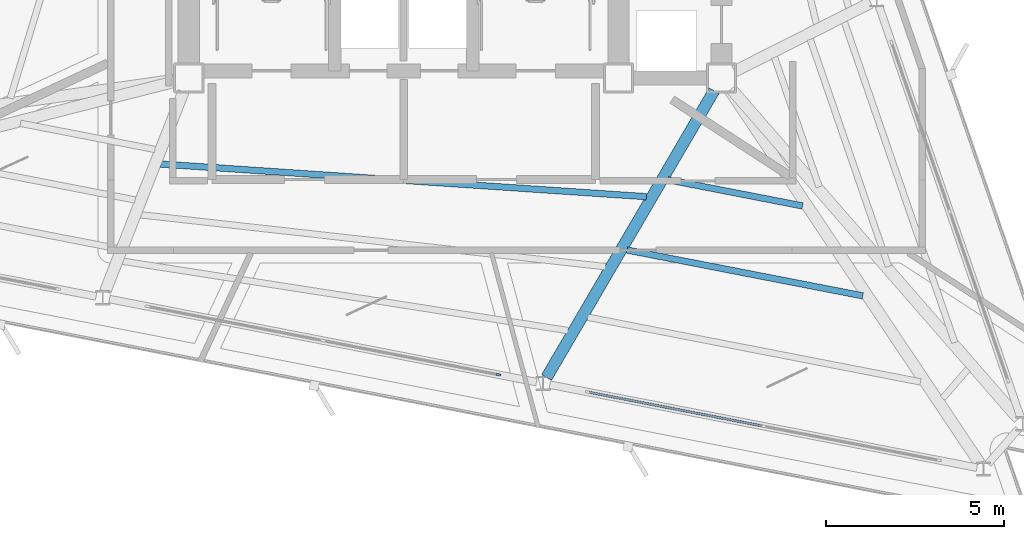
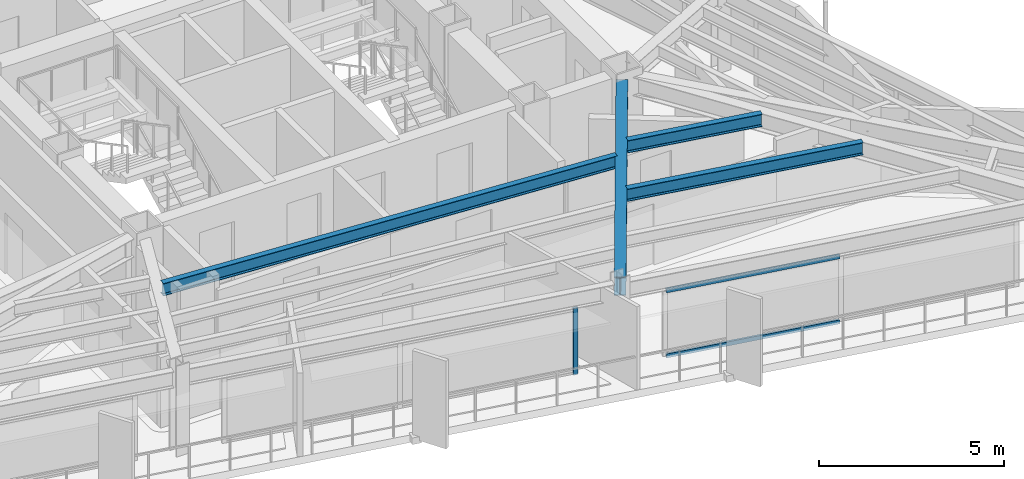
# One storey, part 3 of 13: 4 beams, 3 members, 2 elements without a shape of their own.
"""IFC4 building model written with IfcOpenShell, lengths in metres."""

from ifc_helpers import new_model, si_unit, direction, frame, origin, origin_2d, place, context, subcontext, project, spatial, rectangle, i_section, extrude, material, layer, layer_set, material_profile, profile_set, type_object, element, aggregate, save


model = new_model("IFC4")

# Units and contexts
model_context = context("Model", 3, precision=1e-05, world=origin(), true_north=direction((0.0, 1.0)))
body_context = subcontext(model_context, "Body", "Model", "MODEL_VIEW")
ifc_project = project(units=[si_unit("LENGTHUNIT", "METRE"), si_unit("AREAUNIT", "SQUARE_METRE"), si_unit("VOLUMEUNIT", "CUBIC_METRE"), si_unit("PLANEANGLEUNIT", "RADIAN"), si_unit("MASSUNIT", "GRAM", prefix="KILO")], contexts=[model_context])

# Site, building, storey
site_placement = place(None, origin())
site = spatial("IfcSite", under=ifc_project, at=site_placement, CompositionType="ELEMENT")
building_placement = place(site_placement, origin())
building = spatial("IfcBuilding", under=site, at=building_placement, Name="Rocaltana Carrier Exchange", CompositionType="ELEMENT")
storey_placement = place(building_placement, frame((0.0, 0.0, 156.320068359375)))
storey = spatial("IfcBuildingStorey", under=building, at=storey_placement, Name="L49", CompositionType="ELEMENT", Elevation=156.320068359375)

# Curtain wall, member
ifc_material_1 = material(Name="Aluminium 6063-T6", Category="aluminium")
ifc_layer = layer(ifc_material_1, 0.135009765625)
ifc_layer_set = layer_set([ifc_layer], Name="Aluminium 6063-T6")
curtain_wall_type = type_object("IfcCurtainWallType", Name="Upper-Mid Acoustic Curtain Wall CW-04", PredefinedType="NOTDEFINED", material=ifc_layer_set)
curtain_wall_1_placement = place(storey_placement, origin())
curtain_wall_1 = element("IfcCurtainWall", 1, at=curtain_wall_1_placement, inside=storey, type_object=curtain_wall_type, Name="L49 CW-04 Run CW-L49-F3S2", PredefinedType="NOTDEFINED")
ifc_material_2 = material(Name="Aluminium 6063-T6", Category="aluminium")
ifc_material_profile_1 = material_profile(ifc_material_2, rectangle(XDim=0.06494140625, YDim=0.135009765625, at=origin_2d()), Name="AL-65X135")
ifc_profile_set_1 = profile_set([ifc_material_profile_1], Name="Aluminium 6063-T6")
member_type_1 = type_object("IfcMemberType", Name="CW-04 Mullion AL-65X135", PredefinedType="MULLION", material=ifc_profile_set_1)
member_1_placement = place(storey_placement, frame((2.66845703125, -12.6552734375, 0.0), z_axis=(0.0, 0.0, 1.0), x_axis=(0.190814718784, 0.981626070913, 0.0)))
member_1 = element("IfcMember", 2, at=member_1_placement, type_object=member_type_1, Name="CW-04 mullion 3", PredefinedType="MULLION", context=body_context, shape_type="SweptSolid", body=[
    extrude(rectangle(XDim=0.06494140625, YDim=0.135009765625, at=origin_2d()), origin(), (0.0, 0.0, 1.0), 2.218017578125),
])
aggregate(curtain_wall_1, [member_1])

# Curtain wall, members
curtain_wall_2_placement = place(storey_placement, origin())
curtain_wall_2 = element("IfcCurtainWall", 3, at=curtain_wall_2_placement, inside=storey, type_object=curtain_wall_type, Name="L49 CW-04 Run CW-L49-F3S3", PredefinedType="NOTDEFINED")
ifc_material_3 = material(Name="Aluminium 6063-T6", Category="aluminium")
ifc_material_profile_2 = material_profile(ifc_material_3, rectangle(XDim=0.06494140625, YDim=0.135009765625, at=origin_2d()), Name="AL-65X135")
ifc_profile_set_2 = profile_set([ifc_material_profile_2], Name="Aluminium 6063-T6")
member_type_2 = type_object("IfcMemberType", Name="CW-04 Transom AL-65X135", PredefinedType="USERDEFINED", material=ifc_profile_set_2)
member_2_placement = place(storey_placement, frame((5.21826171875, -13.15087890625, 0.032470703125), z_axis=(0.981624593621, -0.1908223184, 0.0), x_axis=(0.1908223184, 0.981624593621, 0.0)))
member_2 = element("IfcMember", 4, at=member_2_placement, type_object=member_type_2, Name="CW-04 transom 1.1", ObjectType="TRANSOM", PredefinedType="USERDEFINED", context=body_context, shape_type="SweptSolid", body=[
    extrude(rectangle(XDim=0.06494140625, YDim=0.135009765625, at=origin_2d()), origin(), (0.0, 0.0, 1.0), 4.96923828125),
])
member_3_placement = place(storey_placement, frame((5.21826171875, -13.15087890625, 2.185546875), z_axis=(0.981624593621, -0.1908223184, 0.0), x_axis=(0.1908223184, 0.981624593621, 0.0)))
member_3 = element("IfcMember", 5, at=member_3_placement, type_object=member_type_2, Name="CW-04 transom 1.2", ObjectType="TRANSOM", PredefinedType="USERDEFINED", context=body_context, shape_type="SweptSolid", body=[
    extrude(rectangle(XDim=0.06494140625, YDim=0.135009765625, at=origin_2d()), origin(), (0.0, 0.0, 1.0), 4.96923828125),
])
aggregate(curtain_wall_2, [member_2, member_3])

# Beams
ifc_material_4 = material(Name="Steel S355", Category="steel")
ifc_material_profile_3 = material_profile(ifc_material_4, i_section(OverallWidth=0.179931640625, OverallDepth=0.4130859375, WebThickness=0.009765625, FlangeThickness=0.01611328125, FilletRadius=0.012939453125, at=origin_2d()), Name="W16X50")
ifc_profile_set_3 = profile_set([ifc_material_profile_3], Name="Steel S355")
beam_type_1 = type_object("IfcBeamType", Name="Floor Joist W16X50", PredefinedType="JOIST", material=ifc_profile_set_3)
beam_1_placement = place(storey_placement, frame((-6.839599609375, -6.724365234375, 2.58154296875), z_axis=(0.997748594569, -0.067065207337, 0.0), x_axis=(0.067065207337, 0.997748594569, 0.0)))
element("IfcBeam", 6, at=beam_1_placement, inside=storey, type_object=beam_type_1, Name="FJ-L49-10-1", PredefinedType="JOIST", context=body_context, shape_type="SweptSolid", body=[
    extrude(i_section(OverallWidth=0.179931640625, OverallDepth=0.4130859375, WebThickness=0.009765625, FlangeThickness=0.01611328125, FilletRadius=0.012939453125, at=origin_2d()), origin(), (0.0, 0.0, 1.0), 13.705810546875),
])
beam_2_placement = place(storey_placement, frame((7.44580078125, -7.167724609375, 2.58154296875), z_axis=(0.981618354608, -0.190854410211, 0.0), x_axis=(0.190854410211, 0.981618354608, 0.0)))
element("IfcBeam", 7, at=beam_2_placement, inside=storey, type_object=beam_type_1, Name="FJ-L49-11-1", PredefinedType="JOIST", context=body_context, shape_type="SweptSolid", body=[
    extrude(i_section(OverallWidth=0.179931640625, OverallDepth=0.4130859375, WebThickness=0.009765625, FlangeThickness=0.01611328125, FilletRadius=0.012939453125, at=origin_2d()), origin(), (0.0, 0.0, 1.0), 3.856689453125),
])
beam_3_placement = place(storey_placement, frame((6.29052734375, -9.145751953125, 2.58154296875), z_axis=(0.981629854201, -0.190795255028, 0.0), x_axis=(0.190795255028, 0.981629854201, 0.0)))
element("IfcBeam", 8, at=beam_3_placement, inside=storey, type_object=beam_type_1, Name="FJ-L49-11-2", PredefinedType="JOIST", context=body_context, shape_type="SweptSolid", body=[
    extrude(i_section(OverallWidth=0.179931640625, OverallDepth=0.4130859375, WebThickness=0.009765625, FlangeThickness=0.01611328125, FilletRadius=0.012939453125, at=origin_2d()), origin(), (0.0, 0.0, 1.0), 6.7626953125),
])
ifc_material_5 = material(Name="Steel S355", Category="steel")
ifc_material_profile_4 = material_profile(ifc_material_5, i_section(OverallWidth=0.323974609375, OverallDepth=0.611083984375, WebThickness=0.0126953125, FlangeThickness=0.01904296875, FilletRadius=0.01611328125, at=origin_2d()), Name="W24X104")
ifc_profile_set_4 = profile_set([ifc_material_profile_4], Name="Steel S355")
beam_type_2 = type_object("IfcBeamType", Name="Radial Girder W24X104", PredefinedType="BEAM", material=ifc_profile_set_4)
beam_4_placement = place(storey_placement, frame((8.73974609375, -4.66015625, 2.482421875), z_axis=(-0.504327123858, -0.863512682096, 0.0), x_axis=(0.863512682096, -0.504327123858, 0.0)))
element("IfcBeam", 9, at=beam_4_placement, inside=storey, type_object=beam_type_2, Name="RG-L49-11", PredefinedType="BEAM", context=body_context, shape_type="SweptSolid", body=[
    extrude(i_section(OverallWidth=0.323974609375, OverallDepth=0.611083984375, WebThickness=0.0126953125, FlangeThickness=0.01904296875, FilletRadius=0.01611328125, at=origin_2d()), origin(), (0.0, 0.0, 1.0), 9.350830078125),
])

save(model, "model.ifc")
